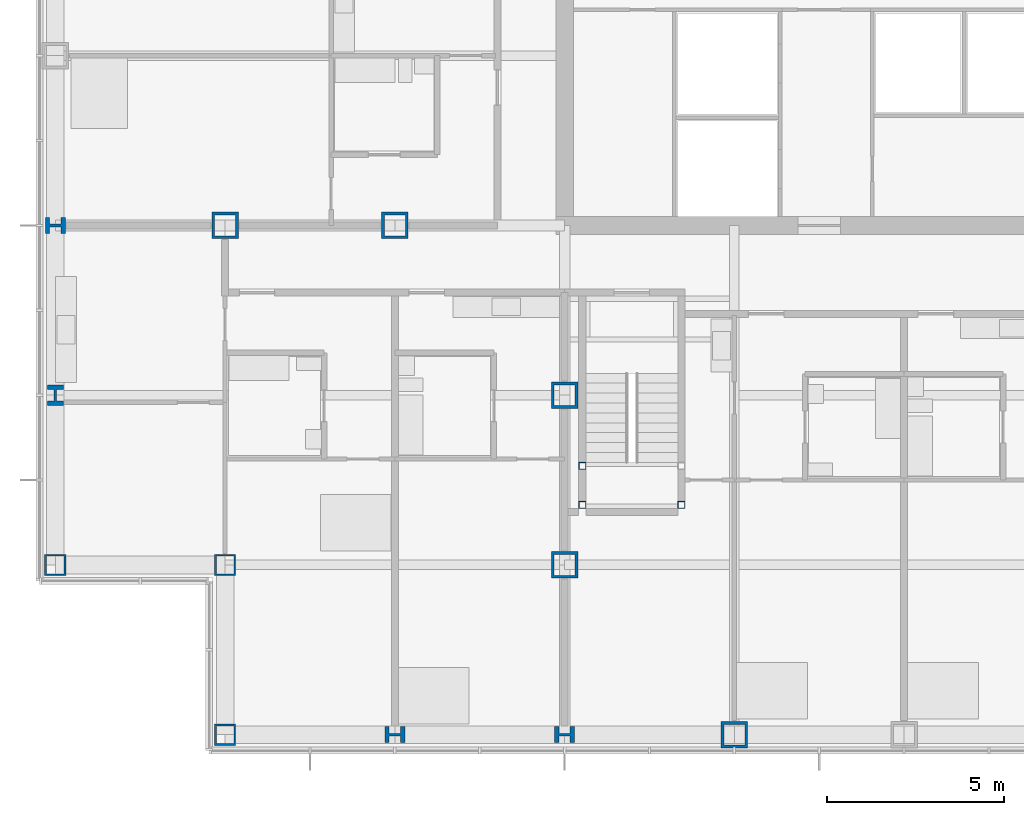
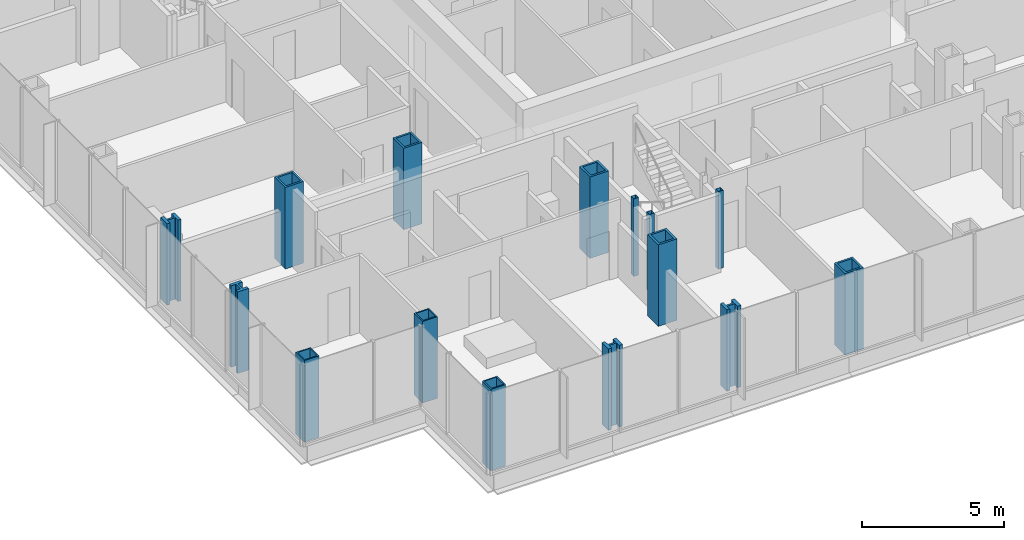
# One storey, part 1 of 21: 15 columns.
"""IFC4 building model written with IfcOpenShell, lengths in metres."""

from ifc_helpers import new_model, si_unit, direction, frame, origin, origin_2d, place, context, subcontext, project, spatial, hollow_rectangle, i_section, extrude, material, material_profile, profile_set, type_object, element, save


model = new_model("IFC4")

# Units and contexts
model_context = context("Model", 3, precision=1e-05, world=origin(), true_north=direction((0.0, 1.0)))
body_context = subcontext(model_context, "Body", "Model", "MODEL_VIEW")
ifc_project = project(units=[si_unit("LENGTHUNIT", "METRE"), si_unit("AREAUNIT", "SQUARE_METRE"), si_unit("VOLUMEUNIT", "CUBIC_METRE"), si_unit("PLANEANGLEUNIT", "RADIAN"), si_unit("MASSUNIT", "GRAM", prefix="KILO")], contexts=[model_context])

# Site, building, storey
site_placement = place(None, origin())
site = spatial("IfcSite", under=ifc_project, at=site_placement, CompositionType="ELEMENT")
building_placement = place(site_placement, origin())
building = spatial("IfcBuilding", under=site, at=building_placement, Name="Kvirike Care Tower", CompositionType="ELEMENT")
storey_placement = place(building_placement, frame((0.0, 0.0, 37.5)))
storey = spatial("IfcBuildingStorey", under=building, at=storey_placement, Name="L09", CompositionType="ELEMENT", Elevation=37.5)

# Columns
ifc_material_1 = material(Name="Steel S460", Category="steel")
ifc_material_profile_1 = material_profile(ifc_material_1, hollow_rectangle(XDim=0.60009765625, YDim=0.60009765625, WallThickness=0.050048828125, at=origin_2d()), Name="BX 600x600x50")
ifc_profile_set_1 = profile_set([ifc_material_profile_1], Name="Steel S460")
column_type_1 = type_object("IfcColumnType", Name="COLUMN BX 600x600x50", PredefinedType="COLUMN", material=ifc_profile_set_1)
for number, where, z_axis, x_axis, name in (
    (1, (0.0, 19.199951171875, 0.0), (0.0, 0.0, 1.0), (0.0, 1.0, 0.0), "Column E3 L09"),
    (2, (4.800048828125, 14.39990234375, 0.0), (0.0, 0.0, 1.0), (0.0, 1.0, 0.0), "Column D4 L09"),
    (3, (4.800048828125, 19.199951171875, 0.0), (0.0, 0.0, 1.0), (0.0, 1.0, 0.0), "Column E4 L09"),
):
    element("IfcColumn", number, at=place(storey_placement, frame(where, z_axis=z_axis, x_axis=x_axis)), inside=storey, type_object=column_type_1, Name=name, PredefinedType="COLUMN", context=body_context, shape_type="SweptSolid", body=[
        extrude(hollow_rectangle(XDim=0.60009765625, YDim=0.60009765625, WallThickness=0.050048828125, at=origin_2d()), origin(), (0.0, 0.0, 1.0), 3.5),
    ])
ifc_material_2 = material(Name="Steel S460", Category="steel")
ifc_material_profile_2 = material_profile(ifc_material_2, hollow_rectangle(XDim=0.75, YDim=0.75, WallThickness=0.080078125, at=origin_2d()), Name="BX 750x750x80")
ifc_profile_set_2 = profile_set([ifc_material_profile_2], Name="Steel S460")
column_type_2 = type_object("IfcColumnType", Name="COLUMN BX 750x750x80", PredefinedType="COLUMN", material=ifc_profile_set_2)
for number, where, z_axis, x_axis, name in (
    (4, (4.800048828125, 28.800048828125, 0.0), (0.0, 0.0, 1.0), (0.0, 1.0, 0.0), "Column G4 L09"),
    (5, (9.60009765625, 28.800048828125, 0.0), (0.0, 0.0, 1.0), (0.0, 1.0, 0.0), "Column G5 L09"),
    (6, (14.39990234375, 19.199951171875, 0.0), (0.0, 0.0, 1.0), (1.0, 0.0, 0.0), "Column E6 L09"),
    (7, (14.39990234375, 24.0, 0.0), (0.0, 0.0, 1.0), (1.0, 0.0, 0.0), "Column F6 L09"),
    (8, (19.199951171875, 14.39990234375, 0.0), (0.0, 0.0, 1.0), (0.0, 1.0, 0.0), "Column D7 L09"),
):
    element("IfcColumn", number, at=place(storey_placement, frame(where, z_axis=z_axis, x_axis=x_axis)), inside=storey, type_object=column_type_2, Name=name, PredefinedType="COLUMN", context=body_context, shape_type="SweptSolid", body=[
        extrude(hollow_rectangle(XDim=0.75, YDim=0.75, WallThickness=0.080078125, at=origin_2d()), origin(), (0.0, 0.0, 1.0), 3.5),
    ])
ifc_material_3 = material(Name="Steel S460", Category="steel")
ifc_material_profile_3 = material_profile(ifc_material_3, i_section(OverallWidth=0.4541015625, OverallDepth=0.569091796875, WebThickness=0.077880859375, FlangeThickness=0.125, FilletRadius=0.014892578125, at=origin_2d()), Name="HD 400x1086")
ifc_profile_set_3 = profile_set([ifc_material_profile_3], Name="Steel S460")
column_type_3 = type_object("IfcColumnType", Name="COLUMN HD 400x1086", PredefinedType="COLUMN", material=ifc_profile_set_3)
for number, where, z_axis, x_axis, name in (
    (9, (0.0, 24.0, 0.0), (0.0, 0.0, 1.0), (1.0, 0.0, 0.0), "Column F3 L09"),
    (10, (0.0, 28.800048828125, 0.0), (0.0, 0.0, 1.0), (0.0, 1.0, 0.0), "Column G3 L09"),
    (11, (9.60009765625, 14.39990234375, 0.0), (0.0, 0.0, 1.0), (0.0, 1.0, 0.0), "Column D5 L09"),
    (12, (14.39990234375, 14.39990234375, 0.0), (0.0, 0.0, 1.0), (0.0, 1.0, 0.0), "Column D6 L09"),
):
    element("IfcColumn", number, at=place(storey_placement, frame(where, z_axis=z_axis, x_axis=x_axis)), inside=storey, type_object=column_type_3, Name=name, PredefinedType="COLUMN", context=body_context, shape_type="SweptSolid", body=[
        extrude(i_section(OverallWidth=0.4541015625, OverallDepth=0.569091796875, WebThickness=0.077880859375, FlangeThickness=0.125, FilletRadius=0.014892578125, at=origin_2d()), origin(), (0.0, 0.0, 1.0), 3.5),
    ])
ifc_material_4 = material(Name="Steel S460", Category="steel")
ifc_material_profile_4 = material_profile(ifc_material_4, hollow_rectangle(XDim=0.199951171875, YDim=0.199951171875, WallThickness=0.008056640625, at=origin_2d()), Name="SHS 200x200x8")
ifc_profile_set_4 = profile_set([ifc_material_profile_4], Name="Steel S460")
column_type_4 = type_object("IfcColumnType", Name="STAIR POST SHS 200x200x8", PredefinedType="COLUMN", material=ifc_profile_set_4)
for number, where, z_axis, x_axis, name in (
    (13, (14.89990234375, 20.89990234375, 0.0), (0.0, 0.0, 1.0), (1.0, 0.0, 0.0), "Stair 5 post 1 L09"),
    (14, (17.699951171875, 20.89990234375, 0.0), (0.0, 0.0, 1.0), (1.0, 0.0, 0.0), "Stair 5 post 2 L09"),
    (15, (14.89990234375, 22.0, 0.0), (0.0, 0.0, 1.0), (1.0, 0.0, 0.0), "Stair 5 post 3 L09"),
):
    element("IfcColumn", number, at=place(storey_placement, frame(where, z_axis=z_axis, x_axis=x_axis)), inside=storey, type_object=column_type_4, Name=name, PredefinedType="COLUMN", context=body_context, shape_type="SweptSolid", body=[
        extrude(hollow_rectangle(XDim=0.199951171875, YDim=0.199951171875, WallThickness=0.008056640625, at=origin_2d()), origin(), (0.0, 0.0, 1.0), 3.330078125),
    ])

save(model, "model.ifc")
